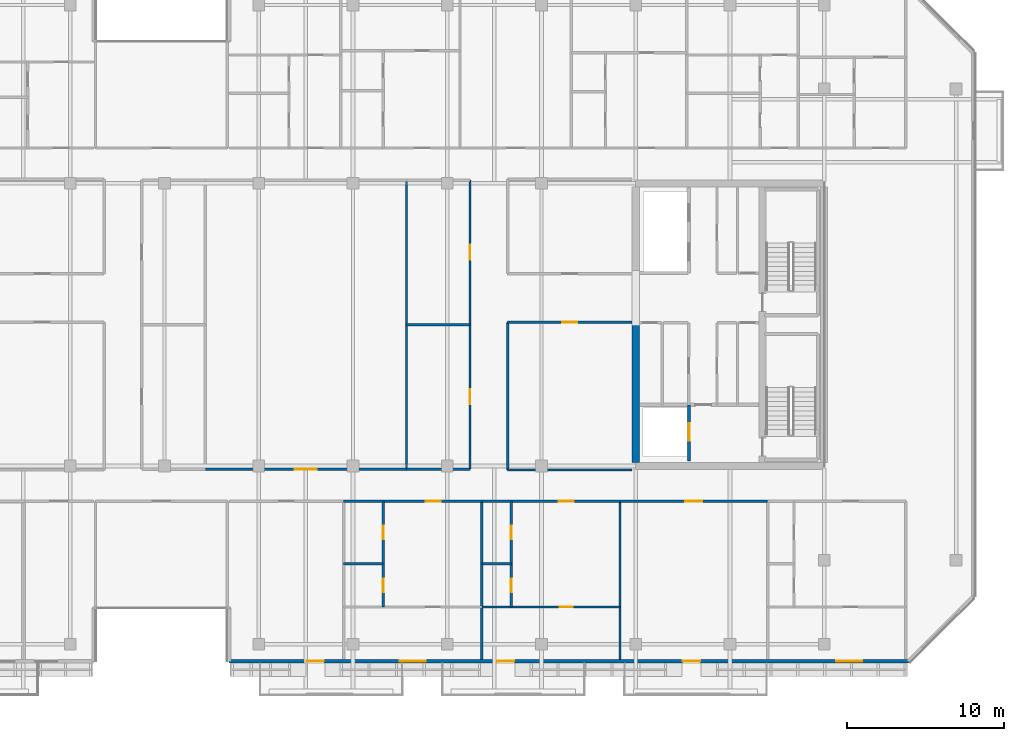
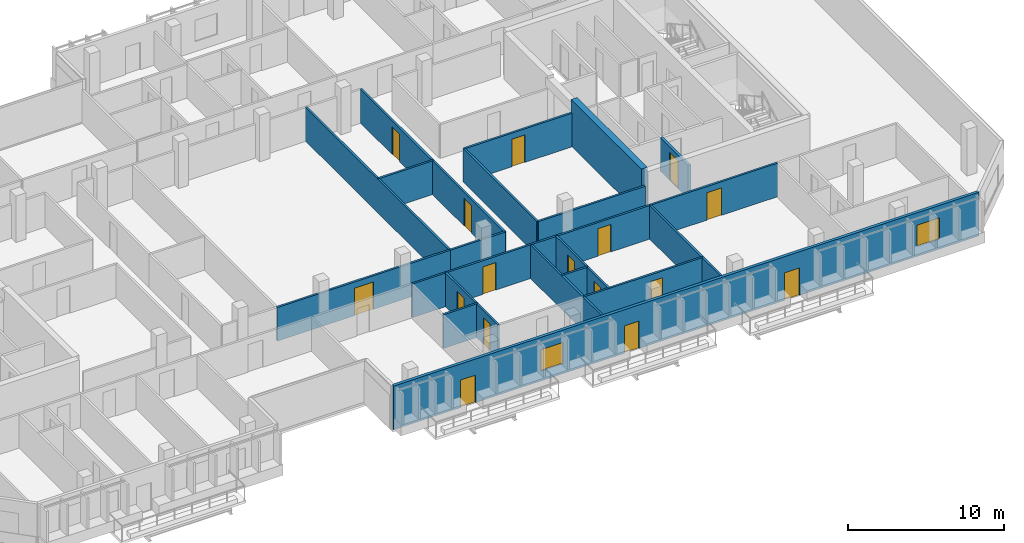
# One storey, part 12 of 23: 22 walls, 16 doors, 2 windows, 18 openings.
"""IFC4 building model written with IfcOpenShell, lengths in metres."""

from ifc_helpers import new_model, si_unit, direction, frame, frame_2d, origin, place, context, subcontext, project, spatial, rectangle, extrude, material, layer, layer_set, type_object, element, fill, save


model = new_model("IFC4")

# Units and contexts
model_context = context("Model", 3, precision=1e-05, world=origin(), true_north=direction((0.0, 1.0)))
body_context = subcontext(model_context, "Body", "Model", "MODEL_VIEW")
ifc_project = project(units=[si_unit("LENGTHUNIT", "METRE"), si_unit("AREAUNIT", "SQUARE_METRE"), si_unit("VOLUMEUNIT", "CUBIC_METRE"), si_unit("PLANEANGLEUNIT", "RADIAN"), si_unit("MASSUNIT", "GRAM", prefix="KILO")], contexts=[model_context])

# Site, building, storey
site_placement = place(None, origin())
site = spatial("IfcSite", under=ifc_project, at=site_placement, CompositionType="ELEMENT")
building_placement = place(site_placement, origin())
building = spatial("IfcBuilding", under=site, at=building_placement, Name="Tanjung Sevakor Pilgrim Tower", CompositionType="ELEMENT")
storey_placement = place(building_placement, frame((0.0, 0.0, 215.489990234375)))
storey = spatial("IfcBuildingStorey", under=building, at=storey_placement, Name="L60", CompositionType="ELEMENT", Elevation=215.489990234375)

# Walls
ifc_material_1 = material(Name="Concrete C60/75", Category="concrete")
ifc_layer_1 = layer(ifc_material_1, 0.449951171875)
ifc_layer_set_1 = layer_set([ifc_layer_1], Name="WALL-CW-450")
wall_type_1 = type_object("IfcWallType", Name="WALL-CW-450", PredefinedType="SHEAR", material=ifc_layer_set_1)
wall_1_placement = place(storey_placement, frame((78.0, 24.824951171875, 0.0), z_axis=(0.0, 0.0, 1.0), x_axis=(0.0, 1.0, 0.0)))
element("IfcWall", 1, at=wall_1_placement, inside=storey, type_object=wall_type_1, Name="L60 E Core Inner Shear Wall South", PredefinedType="SHEAR", context=body_context, shape_type="SweptSolid", body=[
    extrude(rectangle(XDim=8.97509765625, YDim=0.449951171875, at=frame_2d((4.487548828125, 0.0))), origin(), (0.0, 0.0, 1.0), 3.630126953125),
])
ifc_material_2 = material(Name="Concrete C40/50", Category="concrete")
ifc_layer_2 = layer(ifc_material_2, 0.14990234375)
ifc_layer_set_2 = layer_set([ifc_layer_2], Name="WT-COMP-150")
wall_type_2 = type_object("IfcWallType", Name="WT-COMP-150", PredefinedType="SOLIDWALL", material=ifc_layer_set_2)
wall_2_placement = place(storey_placement, frame((69.85009765625, 24.35009765625, 0.0), z_axis=(0.0, 0.0, 1.0), x_axis=(1.0, 0.0, 0.0)))
element("IfcWall", 2, at=wall_2_placement, inside=storey, type_object=wall_type_2, Name="L60 Partition IW-L60-039", PredefinedType="SOLIDWALL", context=body_context, shape_type="SweptSolid", body=[
    extrude(rectangle(XDim=7.90478515625, YDim=0.14990234375, at=frame_2d((3.952392578125, 0.0))), origin(), (0.0, 0.0, 1.0), 2.6298828125),
])

# Wall, opening, door
wall_3_placement = place(storey_placement, frame((69.85009765625, 33.75, 0.0), z_axis=(0.0, 0.0, 1.0), x_axis=(1.0, 0.0, 0.0)))
wall_3 = element("IfcWall", 3, at=wall_3_placement, inside=storey, type_object=wall_type_2, Name="L60 Partition IW-L60-040", PredefinedType="SOLIDWALL", context=body_context, shape_type="SweptSolid", body=[
    extrude(rectangle(XDim=7.90478515625, YDim=0.14990234375, at=frame_2d((3.952392578125, 0.0))), origin(), (0.0, 0.0, 1.0), 2.6298828125),
])
opening_1_placement = place(wall_3_placement, frame((3.4775390625, 0.0, 0.0)))
opening_1 = element("IfcOpeningElement", 4, at=opening_1_placement, cuts=wall_3, Name="Opening ID-RM1", PredefinedType="OPENING", context=body_context, shape_type="SweptSolid", body=[
    extrude(rectangle(XDim=0.949951171875, YDim=2.14990234375, at=frame_2d((0.47509765625, 1.074951171875))), frame((0.0, 0.0849609375, 0.0), z_axis=(0.0, -1.0, 0.0), x_axis=(1.0, 0.0, 0.0)), (0.0, 0.0, 1.0), 0.169921875),
])
ifc_material_3 = material(Name="Hardwood Timber", Category="wood")
door_type_1 = type_object("IfcDoorType", Name="DT-INT-950", OperationType="NOTDEFINED", PredefinedType="DOOR", material=ifc_material_3)
door_1_placement = place(opening_1_placement, origin())
door_1 = element("IfcDoor", 5, at=door_1_placement, inside=storey, type_object=door_type_1, Name="L60 East Inboard South Door", OperationType="SINGLE_SWING_RIGHT", OverallHeight=2.14990234375, OverallWidth=0.949951171875, PredefinedType="DOOR", context=body_context, shape_type="SweptSolid", body=[
    extrude(rectangle(XDim=0.949951171875, YDim=2.14990234375, at=frame_2d((0.47509765625, 1.074951171875))), frame((0.0, 0.02490234375, 0.0), z_axis=(0.0, -1.0, 0.0), x_axis=(1.0, 0.0, 0.0)), (0.0, 0.0, 1.0), 0.050048828125),
])
fill(opening_1, door_1)

# Wall
wall_4_placement = place(storey_placement, frame((69.85009765625, 24.35009765625, 0.0), z_axis=(0.0, 0.0, 1.0), x_axis=(0.0, 1.0, 0.0)))
element("IfcWall", 6, at=wall_4_placement, inside=storey, type_object=wall_type_2, Name="L60 Partition IW-L60-041", PredefinedType="SOLIDWALL", context=body_context, shape_type="SweptSolid", body=[
    extrude(rectangle(XDim=9.39990234375, YDim=0.14990234375, at=frame_2d((4.699951171875, 0.0))), origin(), (0.0, 0.0, 1.0), 2.6298828125),
])

# Wall, opening, door
wall_5_placement = place(storey_placement, frame((50.60009765625, 24.39990234375, 0.0), z_axis=(0.0, 0.0, 1.0), x_axis=(1.0, 0.0, 0.0)))
wall_5 = element("IfcWall", 7, at=wall_5_placement, inside=storey, type_object=wall_type_2, Name="L60 Partition IW-L60-050", PredefinedType="SOLIDWALL", context=body_context, shape_type="SweptSolid", body=[
    extrude(rectangle(XDim=12.7998046875, YDim=0.14990234375, at=frame_2d((6.39990234375, 0.0))), origin(), (0.0, 0.0, 1.0), 2.6298828125),
])
opening_2_placement = place(wall_5_placement, frame((5.699951171875, 0.0, 0.0)))
opening_2 = element("IfcOpeningElement", 8, at=opening_2_placement, cuts=wall_5, Name="Opening ID-HD1", PredefinedType="OPENING", context=body_context, shape_type="SweptSolid", body=[
    extrude(rectangle(XDim=1.39990234375, YDim=2.14990234375, at=frame_2d((0.699951171875, 1.074951171875))), frame((0.0, 0.0849609375, 0.0), z_axis=(0.0, -1.0, 0.0), x_axis=(1.0, 0.0, 0.0)), (0.0, 0.0, 1.0), 0.169921875),
])
ifc_material_4 = material(Name="Hardwood Timber", Category="wood")
door_type_2 = type_object("IfcDoorType", Name="DT-INT-1400", OperationType="DOUBLE_DOOR_SINGLE_SWING", PredefinedType="DOOR", material=ifc_material_4)
door_2_placement = place(opening_2_placement, origin())
door_2 = element("IfcDoor", 9, at=door_2_placement, inside=storey, type_object=door_type_2, Name="L60 Sky-Prayer Sanctuary Door", OperationType="SINGLE_SWING_RIGHT", OverallHeight=2.14990234375, OverallWidth=1.39990234375, PredefinedType="DOOR", context=body_context, shape_type="SweptSolid", body=[
    extrude(rectangle(XDim=1.39990234375, YDim=2.14990234375, at=frame_2d((0.699951171875, 1.074951171875))), frame((0.0, 0.02490234375, 0.0), z_axis=(0.0, -1.0, 0.0), x_axis=(1.0, 0.0, 0.0)), (0.0, 0.0, 1.0), 0.050048828125),
])
fill(opening_2, door_2)

# Walls
wall_6_placement = place(storey_placement, frame((63.39990234375, 24.39990234375, 0.0), z_axis=(0.0, 0.0, 1.0), x_axis=(0.0, 1.0, 0.0)))
element("IfcWall", 10, at=wall_6_placement, inside=storey, type_object=wall_type_2, Name="L60 Partition IW-L60-053", PredefinedType="SOLIDWALL", context=body_context, shape_type="SweptSolid", body=[
    extrude(rectangle(XDim=18.400146484375, YDim=0.14990234375, at=frame_2d((9.2001953125, 0.0))), origin(), (0.0, 0.0, 1.0), 2.6298828125),
])
for number, where, z_axis, x_axis, name in (
    (11, (63.39990234375, 24.39990234375, 0.0), (0.0, 0.0, 1.0), (1.0, 0.0, 0.0), "L60 Partition IW-L60-054"),
    (12, (63.39990234375, 33.60009765625, 0.0), (0.0, 0.0, 1.0), (1.0, 0.0, 0.0), "L60 Partition IW-L60-055"),
):
    element("IfcWall", number, at=place(storey_placement, frame(where, z_axis=z_axis, x_axis=x_axis)), inside=storey, type_object=wall_type_2, Name=name, PredefinedType="SOLIDWALL", context=body_context, shape_type="SweptSolid", body=[
        extrude(rectangle(XDim=4.050048828125, YDim=0.14990234375, at=frame_2d((2.02490234375, 0.0))), origin(), (0.0, 0.0, 1.0), 2.6298828125),
    ])

# Wall, opening, door
wall_7_placement = place(storey_placement, frame((67.449951171875, 24.39990234375, 0.0), z_axis=(0.0, 0.0, 1.0), x_axis=(0.0, 1.0, 0.0)))
wall_7 = element("IfcWall", 13, at=wall_7_placement, inside=storey, type_object=wall_type_2, Name="L60 Partition IW-L60-056", PredefinedType="SOLIDWALL", context=body_context, shape_type="SweptSolid", body=[
    extrude(rectangle(XDim=9.2001953125, YDim=0.14990234375, at=frame_2d((4.60009765625, 0.0))), origin(), (0.0, 0.0, 1.0), 2.6298828125),
])
opening_3_placement = place(wall_7_placement, frame((4.125, 0.0, 0.0)))
opening_3 = element("IfcOpeningElement", 14, at=opening_3_placement, cuts=wall_7, Name="Opening ID-RM1", PredefinedType="OPENING", context=body_context, shape_type="SweptSolid", body=[
    extrude(rectangle(XDim=0.949951171875, YDim=2.14990234375, at=frame_2d((0.47509765625, 1.074951171875))), frame((0.0, 0.0849609375, 0.0), z_axis=(0.0, -1.0, 0.0), x_axis=(1.0, 0.0, 0.0)), (0.0, 0.0, 1.0), 0.169921875),
])
door_3_placement = place(opening_3_placement, origin())
door_3 = element("IfcDoor", 15, at=door_3_placement, inside=storey, type_object=door_type_1, Name="L60 Female Ablution Door", OperationType="SINGLE_SWING_LEFT", OverallHeight=2.14990234375, OverallWidth=0.949951171875, PredefinedType="DOOR", context=body_context, shape_type="SweptSolid", body=[
    extrude(rectangle(XDim=0.949951171875, YDim=2.14990234375, at=frame_2d((0.47509765625, 1.074951171875))), frame((0.0, 0.02490234375, 0.0), z_axis=(0.0, -1.0, 0.0), x_axis=(1.0, 0.0, 0.0)), (0.0, 0.0, 1.0), 0.050048828125),
])
fill(opening_3, door_3)

wall_8_placement = place(storey_placement, frame((67.449951171875, 33.60009765625, 0.0), z_axis=(0.0, 0.0, 1.0), x_axis=(0.0, 1.0, 0.0)))
wall_8 = element("IfcWall", 16, at=wall_8_placement, inside=storey, type_object=wall_type_2, Name="L60 Partition IW-L60-058", PredefinedType="SOLIDWALL", context=body_context, shape_type="SweptSolid", body=[
    extrude(rectangle(XDim=9.199951171875, YDim=0.14990234375, at=frame_2d((4.60009765625, 0.0))), origin(), (0.0, 0.0, 1.0), 2.6298828125),
])
opening_4_placement = place(wall_8_placement, frame((4.125, 0.0, 0.0)))
opening_4 = element("IfcOpeningElement", 17, at=opening_4_placement, cuts=wall_8, Name="Opening ID-RM1", PredefinedType="OPENING", context=body_context, shape_type="SweptSolid", body=[
    extrude(rectangle(XDim=0.949951171875, YDim=2.14990234375, at=frame_2d((0.47509765625, 1.074951171875))), frame((0.0, 0.0849609375, 0.0), z_axis=(0.0, -1.0, 0.0), x_axis=(1.0, 0.0, 0.0)), (0.0, 0.0, 1.0), 0.169921875),
])
door_4_placement = place(opening_4_placement, origin())
door_4 = element("IfcDoor", 18, at=door_4_placement, inside=storey, type_object=door_type_1, Name="L60 Female Washroom Door", OperationType="SINGLE_SWING_RIGHT", OverallHeight=2.14990234375, OverallWidth=0.949951171875, PredefinedType="DOOR", context=body_context, shape_type="SweptSolid", body=[
    extrude(rectangle(XDim=0.949951171875, YDim=2.14990234375, at=frame_2d((0.47509765625, 1.074951171875))), frame((0.0, 0.02490234375, 0.0), z_axis=(0.0, -1.0, 0.0), x_axis=(1.0, 0.0, 0.0)), (0.0, 0.0, 1.0), 0.050048828125),
])
fill(opening_4, door_4)

# Wall
wall_9_placement = place(storey_placement, frame((68.19921875, 12.27001953125, 0.0), z_axis=(0.0, 0.0, 1.0), x_axis=(0.0, 1.0, 0.0)))
element("IfcWall", 19, at=wall_9_placement, inside=storey, type_object=wall_type_2, Name="L60 Partition IW-L60-078", PredefinedType="SOLIDWALL", context=body_context, shape_type="SweptSolid", body=[
    extrude(rectangle(XDim=10.080078125, YDim=0.14990234375, at=frame_2d((5.0400390625, 0.0))), origin(), (0.0, 0.0, 1.0), 2.6298828125),
])

# Wall, opening, door
wall_10_placement = place(storey_placement, frame((59.401123046875, 22.35009765625, 0.0), z_axis=(0.0, 0.0, 1.0), x_axis=(1.0, 0.0, 0.0)))
wall_10 = element("IfcWall", 20, at=wall_10_placement, inside=storey, type_object=wall_type_2, Name="L60 Partition IW-L60-082", PredefinedType="SOLIDWALL", context=body_context, shape_type="SweptSolid", body=[
    extrude(rectangle(XDim=8.798095703125, YDim=0.14990234375, at=frame_2d((4.39892578125, 0.0))), origin(), (0.0, 0.0, 1.0), 2.6298828125),
])
opening_5_placement = place(wall_10_placement, frame((5.223388671875, 0.0, 0.0)))
opening_5 = element("IfcOpeningElement", 21, at=opening_5_placement, cuts=wall_10, Name="Opening ID-FD2", PredefinedType="OPENING", context=body_context, shape_type="SweptSolid", body=[
    extrude(rectangle(XDim=0.949951171875, YDim=2.14990234375, at=frame_2d((0.47509765625, 1.074951171875))), frame((0.0, 0.0849609375, 0.0), z_axis=(0.0, -1.0, 0.0), x_axis=(1.0, 0.0, 0.0)), (0.0, 0.0, 1.0), 0.169921875),
])
ifc_material_5 = material(Name="Fire-Rated Timber", Category="wood")
door_type_3 = type_object("IfcDoorType", Name="DT-FIRE-950", OperationType="NOTDEFINED", PredefinedType="DOOR", material=ifc_material_5)
door_5_placement = place(opening_5_placement, origin())
door_5 = element("IfcDoor", 22, at=door_5_placement, inside=storey, type_object=door_type_3, Name="Residence Entrance", OperationType="SINGLE_SWING_LEFT", OverallHeight=2.14990234375, OverallWidth=0.949951171875, PredefinedType="DOOR", context=body_context, shape_type="SweptSolid", body=[
    extrude(rectangle(XDim=0.949951171875, YDim=2.14990234375, at=frame_2d((0.47509765625, 1.074951171875))), frame((0.0, 0.02490234375, 0.0), z_axis=(0.0, -1.0, 0.0), x_axis=(1.0, 0.0, 0.0)), (0.0, 0.0, 1.0), 0.050048828125),
])
fill(opening_5, door_5)

# Wall
wall_11_placement = place(storey_placement, frame((76.9970703125, 12.27001953125, 0.0), z_axis=(0.0, 0.0, 1.0), x_axis=(0.0, 1.0, 0.0)))
element("IfcWall", 23, at=wall_11_placement, inside=storey, type_object=wall_type_2, Name="L60 Partition IW-L60-083", PredefinedType="SOLIDWALL", context=body_context, shape_type="SweptSolid", body=[
    extrude(rectangle(XDim=10.080078125, YDim=0.14990234375, at=frame_2d((5.0400390625, 0.0))), origin(), (0.0, 0.0, 1.0), 2.6298828125),
])

# Wall, opening, door
wall_12_placement = place(storey_placement, frame((68.19921875, 22.35009765625, 0.0), z_axis=(0.0, 0.0, 1.0), x_axis=(1.0, 0.0, 0.0)))
wall_12 = element("IfcWall", 24, at=wall_12_placement, inside=storey, type_object=wall_type_2, Name="L60 Partition IW-L60-087", PredefinedType="SOLIDWALL", context=body_context, shape_type="SweptSolid", body=[
    extrude(rectangle(XDim=8.7978515625, YDim=0.14990234375, at=frame_2d((4.39892578125, 0.0))), origin(), (0.0, 0.0, 1.0), 2.6298828125),
])
opening_6_placement = place(wall_12_placement, frame((4.904296875, 0.0, 0.0)))
opening_6 = element("IfcOpeningElement", 25, at=opening_6_placement, cuts=wall_12, Name="Opening ID-FD2", PredefinedType="OPENING", context=body_context, shape_type="SweptSolid", body=[
    extrude(rectangle(XDim=0.949951171875, YDim=2.14990234375, at=frame_2d((0.47509765625, 1.074951171875))), frame((0.0, 0.0849609375, 0.0), z_axis=(0.0, -1.0, 0.0), x_axis=(1.0, 0.0, 0.0)), (0.0, 0.0, 1.0), 0.169921875),
])
door_6_placement = place(opening_6_placement, origin())
door_6 = element("IfcDoor", 26, at=door_6_placement, inside=storey, type_object=door_type_3, Name="Residence Entrance", OperationType="SINGLE_SWING_LEFT", OverallHeight=2.14990234375, OverallWidth=0.949951171875, PredefinedType="DOOR", context=body_context, shape_type="SweptSolid", body=[
    extrude(rectangle(XDim=0.949951171875, YDim=2.14990234375, at=frame_2d((0.47509765625, 1.074951171875))), frame((0.0, 0.02490234375, 0.0), z_axis=(0.0, -1.0, 0.0), x_axis=(1.0, 0.0, 0.0)), (0.0, 0.0, 1.0), 0.050048828125),
])
fill(opening_6, door_6)

wall_13_placement = place(storey_placement, frame((76.9970703125, 22.35009765625, 0.0), z_axis=(0.0, 0.0, 1.0), x_axis=(1.0, 0.0, 0.0)))
wall_13 = element("IfcWall", 27, at=wall_13_placement, inside=storey, type_object=wall_type_2, Name="L60 Partition IW-L60-089", PredefinedType="SOLIDWALL", context=body_context, shape_type="SweptSolid", body=[
    extrude(rectangle(XDim=9.40478515625, YDim=0.14990234375, at=frame_2d((4.702392578125, 0.0))), origin(), (0.0, 0.0, 1.0), 2.6298828125),
])
opening_7_placement = place(wall_13_placement, frame((4.15234375, 0.0, 0.0)))
opening_7 = element("IfcOpeningElement", 28, at=opening_7_placement, cuts=wall_13, Name="Opening ID-FD0", PredefinedType="OPENING", context=body_context, shape_type="SweptSolid", body=[
    extrude(rectangle(XDim=1.10009765625, YDim=2.14990234375, at=frame_2d((0.550048828125, 1.074951171875))), frame((0.0, 0.0849609375, 0.0), z_axis=(0.0, -1.0, 0.0), x_axis=(1.0, 0.0, 0.0)), (0.0, 0.0, 1.0), 0.169921875),
])
ifc_material_6 = material(Name="Fire-Rated Steel S355J2", Category="steel")
door_type_4 = type_object("IfcDoorType", Name="DT-FIRE-1100", OperationType="NOTDEFINED", PredefinedType="DOOR", material=ifc_material_6)
door_7_placement = place(opening_7_placement, origin())
door_7 = element("IfcDoor", 29, at=door_7_placement, inside=storey, type_object=door_type_4, Name="Council Room Door", OperationType="SINGLE_SWING_RIGHT", OverallHeight=2.14990234375, OverallWidth=1.10009765625, PredefinedType="DOOR", context=body_context, shape_type="SweptSolid", body=[
    extrude(rectangle(XDim=1.10009765625, YDim=2.14990234375, at=frame_2d((0.550048828125, 1.074951171875))), frame((0.0, 0.02490234375, 0.0), z_axis=(0.0, -1.0, 0.0), x_axis=(1.0, 0.0, 0.0)), (0.0, 0.0, 1.0), 0.050048828125),
])
fill(opening_7, door_7)

# Wall, openings, doors, windows
ifc_material_7 = material(Name="Precast concrete C45/55", Category="concrete")
ifc_layer_3 = layer(ifc_material_7, 0.219970703125)
ifc_layer_set_3 = layer_set([ifc_layer_3], Name="WT-EW-STN4")
wall_type_3 = type_object("IfcWallType", Name="WT-EW-STN4", PredefinedType="SOLIDWALL", material=ifc_layer_set_3)
wall_14_placement = place(storey_placement, frame((52.110107421875, 12.159912109375, 0.0), z_axis=(0.0, 0.0, 1.0), x_axis=(1.0, 0.0, 0.0)))
wall_14 = element("IfcWall", 30, at=wall_14_placement, inside=storey, type_object=wall_type_3, Name="L60 MAIN Exterior Wall 5", PredefinedType="SOLIDWALL", context=body_context, shape_type="SweptSolid", body=[
    extrude(rectangle(XDim=43.244384765625, YDim=0.219970703125, at=frame_2d((21.6220703125, 0.0))), origin(), (0.0, 0.0, 1.0), 3.409912109375),
])
opening_8_placement = place(wall_14_placement, frame((4.93994140625, 0.0, 0.0)))
opening_8 = element("IfcOpeningElement", 31, at=opening_8_placement, cuts=wall_14, Name="Opening ED-BAL-1100", PredefinedType="OPENING", context=body_context, shape_type="SweptSolid", body=[
    extrude(rectangle(XDim=1.10009765625, YDim=2.14990234375, at=frame_2d((0.550048828125, 1.074951171875))), frame((0.0, 0.119873046875, 0.0), z_axis=(0.0, -1.0, 0.0), x_axis=(1.0, 0.0, 0.0)), (0.0, 0.0, 1.0), 0.239990234375),
])
opening_9_placement = place(wall_14_placement, frame((17.0400390625, 0.0, 0.0)))
opening_9 = element("IfcOpeningElement", 32, at=opening_9_placement, cuts=wall_14, Name="Opening ED-BAL-1100", PredefinedType="OPENING", context=body_context, shape_type="SweptSolid", body=[
    extrude(rectangle(XDim=1.10009765625, YDim=2.14990234375, at=frame_2d((0.550048828125, 1.074951171875))), frame((0.0, 0.119873046875, 0.0), z_axis=(0.0, -1.0, 0.0), x_axis=(1.0, 0.0, 0.0)), (0.0, 0.0, 1.0), 0.239990234375),
])
opening_10_placement = place(wall_14_placement, frame((28.889892578125, 0.0, 0.0)))
opening_10 = element("IfcOpeningElement", 33, at=opening_10_placement, cuts=wall_14, Name="Opening ED-BAL-1100", PredefinedType="OPENING", context=body_context, shape_type="SweptSolid", body=[
    extrude(rectangle(XDim=1.10009765625, YDim=2.14990234375, at=frame_2d((0.550048828125, 1.074951171875))), frame((0.0, 0.119873046875, 0.0), z_axis=(0.0, -1.0, 0.0), x_axis=(1.0, 0.0, 0.0)), (0.0, 0.0, 1.0), 0.239990234375),
])
opening_11_placement = place(wall_14_placement, frame((10.864990234375, 0.0, 0.780029296875)))
opening_11 = element("IfcOpeningElement", 34, at=opening_11_placement, cuts=wall_14, Name="Opening WN-Z4-1660", PredefinedType="OPENING", context=body_context, shape_type="SweptSolid", body=[
    extrude(rectangle(XDim=1.64990234375, YDim=1.659912109375, at=frame_2d((0.824951171875, 0.830078125))), frame((0.0, 0.119873046875, 0.0), z_axis=(0.0, -1.0, 0.0), x_axis=(1.0, 0.0, 0.0)), (0.0, 0.0, 1.0), 0.239990234375),
])
opening_12_placement = place(wall_14_placement, frame((38.666015625, 0.0, 0.780029296875)))
opening_12 = element("IfcOpeningElement", 35, at=opening_12_placement, cuts=wall_14, Name="Opening WN-Z4-1660", PredefinedType="OPENING", context=body_context, shape_type="SweptSolid", body=[
    extrude(rectangle(XDim=1.64990234375, YDim=1.659912109375, at=frame_2d((0.824951171875, 0.830078125))), frame((0.0, 0.119873046875, 0.0), z_axis=(0.0, -1.0, 0.0), x_axis=(1.0, 0.0, 0.0)), (0.0, 0.0, 1.0), 0.239990234375),
])
ifc_material_8 = material(Name="Anodised Aluminium and Laminated Glass", Category="aluminium")
door_type_5 = type_object("IfcDoorType", Name="DTYP-ED-BAL-1100", OperationType="NOTDEFINED", PredefinedType="DOOR", material=ifc_material_8)
door_8_placement = place(opening_8_placement, frame((1.10009765625, 0.0, 0.0), z_axis=(0.0, 0.0, 1.0), x_axis=(-1.0, 0.0, 0.0)))
door_8 = element("IfcDoor", 36, at=door_8_placement, inside=storey, type_object=door_type_5, Name="L60 Balcony Door MAIN-S2", OperationType="SINGLE_SWING_RIGHT", OverallHeight=2.14990234375, OverallWidth=1.10009765625, PredefinedType="DOOR", context=body_context, shape_type="SweptSolid", body=[
    extrude(rectangle(XDim=1.10009765625, YDim=2.14990234375, at=frame_2d((0.550048828125, 1.074951171875))), frame((0.0, 0.02490234375, 0.0), z_axis=(0.0, -1.0, 0.0), x_axis=(1.0, 0.0, 0.0)), (0.0, 0.0, 1.0), 0.050048828125),
])
fill(opening_8, door_8)
door_9_placement = place(opening_9_placement, frame((1.10009765625, 0.0, 0.0), z_axis=(0.0, 0.0, 1.0), x_axis=(-1.0, 0.0, 0.0)))
door_9 = element("IfcDoor", 37, at=door_9_placement, inside=storey, type_object=door_type_5, Name="L60 Balcony Door MAIN-S3", OperationType="SINGLE_SWING_LEFT", OverallHeight=2.14990234375, OverallWidth=1.10009765625, PredefinedType="DOOR", context=body_context, shape_type="SweptSolid", body=[
    extrude(rectangle(XDim=1.10009765625, YDim=2.14990234375, at=frame_2d((0.550048828125, 1.074951171875))), frame((0.0, 0.02490234375, 0.0), z_axis=(0.0, -1.0, 0.0), x_axis=(1.0, 0.0, 0.0)), (0.0, 0.0, 1.0), 0.050048828125),
])
fill(opening_9, door_9)
door_10_placement = place(opening_10_placement, frame((1.10009765625, 0.0, 0.0), z_axis=(0.0, 0.0, 1.0), x_axis=(-1.0, 0.0, 0.0)))
door_10 = element("IfcDoor", 38, at=door_10_placement, inside=storey, type_object=door_type_5, Name="L60 Balcony Door MAIN-S4", OperationType="SINGLE_SWING_RIGHT", OverallHeight=2.14990234375, OverallWidth=1.10009765625, PredefinedType="DOOR", context=body_context, shape_type="SweptSolid", body=[
    extrude(rectangle(XDim=1.10009765625, YDim=2.14990234375, at=frame_2d((0.550048828125, 1.074951171875))), frame((0.0, 0.02490234375, 0.0), z_axis=(0.0, -1.0, 0.0), x_axis=(1.0, 0.0, 0.0)), (0.0, 0.0, 1.0), 0.050048828125),
])
fill(opening_10, door_10)
ifc_material_9 = material(Name="Thermally Broken Aluminium and Low-E Glass", Category="aluminium")
window_type = type_object("IfcWindowType", Name="WTYP-WN-Z4-1660", PartitioningType="DOUBLE_PANEL_VERTICAL", PredefinedType="WINDOW", material=ifc_material_9)
window_1_placement = place(opening_11_placement, origin())
window_1 = element("IfcWindow", 39, at=window_1_placement, inside=storey, type_object=window_type, Name="L60 Facade Window 01", OverallHeight=1.659912109375, OverallWidth=1.64990234375, PartitioningType="SINGLE_PANEL", PredefinedType="WINDOW", context=body_context, shape_type="SweptSolid", body=[
    extrude(rectangle(XDim=1.64990234375, YDim=1.659912109375, at=frame_2d((0.824951171875, 0.830078125))), frame((0.0, 0.030029296875, 0.0), z_axis=(0.0, -1.0, 0.0), x_axis=(1.0, 0.0, 0.0)), (0.0, 0.0, 1.0), 0.06005859375),
])
fill(opening_11, window_1)
window_2_placement = place(opening_12_placement, origin())
window_2 = element("IfcWindow", 40, at=window_2_placement, inside=storey, type_object=window_type, Name="L60 Facade Window 02", OverallHeight=1.659912109375, OverallWidth=1.64990234375, PartitioningType="SINGLE_PANEL", PredefinedType="WINDOW", context=body_context, shape_type="SweptSolid", body=[
    extrude(rectangle(XDim=1.64990234375, YDim=1.659912109375, at=frame_2d((0.824951171875, 0.830078125))), frame((0.0, 0.030029296875, 0.0), z_axis=(0.0, -1.0, 0.0), x_axis=(1.0, 0.0, 0.0)), (0.0, 0.0, 1.0), 0.06005859375),
])
fill(opening_12, window_2)

# Wall, opening, door
ifc_material_10 = material(Name="Concrete C40/50", Category="concrete")
ifc_layer_4 = layer(ifc_material_10, 0.199951171875)
ifc_layer_set_4 = layer_set([ifc_layer_4], Name="WT-FPRT-200")
wall_type_4 = type_object("IfcWallType", Name="WT-FPRT-200", PredefinedType="SOLIDWALL", material=ifc_layer_set_4)
wall_15_placement = place(storey_placement, frame((81.39990234375, 24.919921875, 0.0), z_axis=(0.0, 0.0, 1.0), x_axis=(0.0, 1.0, 0.0)))
wall_15 = element("IfcWall", 41, at=wall_15_placement, inside=storey, type_object=wall_type_4, Name="L60 Partition IW-L60-017", PredefinedType="SOLIDWALL", context=body_context, shape_type="SweptSolid", body=[
    extrude(rectangle(XDim=3.580078125, YDim=0.199951171875, at=frame_2d((1.7900390625, 0.0))), origin(), (0.0, 0.0, 1.0), 2.6298828125),
])
opening_13_placement = place(wall_15_placement, frame((1.300048828125, 0.0, 0.0)))
opening_13 = element("IfcOpeningElement", 42, at=opening_13_placement, cuts=wall_15, Name="Opening LD-1100", PredefinedType="OPENING", context=body_context, shape_type="SweptSolid", body=[
    extrude(rectangle(XDim=1.10009765625, YDim=2.199951171875, at=frame_2d((0.550048828125, 1.10009765625))), frame((0.0, 0.10986328125, 0.0), z_axis=(0.0, -1.0, 0.0), x_axis=(1.0, 0.0, 0.0)), (0.0, 0.0, 1.0), 0.219970703125),
])
ifc_material_11 = material(Name="Brushed Stainless Steel S355J2", Category="steel")
door_type_6 = type_object("IfcDoorType", Name="DT-LIFT-1100", OperationType="SLIDING_TO_LEFT", PredefinedType="DOOR", material=ifc_material_11)
door_11_placement = place(opening_13_placement, origin())
door_11 = element("IfcDoor", 43, at=door_11_placement, inside=storey, type_object=door_type_6, Name="LD-FL-E", OperationType="SLIDING_TO_LEFT", OverallHeight=2.199951171875, OverallWidth=1.10009765625, PredefinedType="DOOR", context=body_context, shape_type="SweptSolid", body=[
    extrude(rectangle(XDim=1.10009765625, YDim=2.199951171875, at=frame_2d((0.550048828125, 1.10009765625))), frame((0.0, 0.02490234375, 0.0), z_axis=(0.0, -1.0, 0.0), x_axis=(1.0, 0.0, 0.0)), (0.0, 0.0, 1.0), 0.050048828125),
])
fill(opening_13, door_11)

# Wall
ifc_material_12 = material(Name="Gypsum Board Partition", Category="gypsum board")
ifc_layer_5 = layer(ifc_material_12, 0.14990234375)
ifc_layer_set_5 = layer_set([ifc_layer_5], Name="WT-PART-150")
wall_type_5 = type_object("IfcWallType", Name="WT-PART-150", PredefinedType="PARTITIONING", material=ifc_layer_set_5)
wall_16_placement = place(storey_placement, frame((59.401123046875, 18.381103515625, 0.0), z_axis=(0.0, 0.0, 1.0), x_axis=(1.0, 0.0, 0.0)))
element("IfcWall", 44, at=wall_16_placement, inside=storey, type_object=wall_type_5, Name="L60 Partition IW-L60-079", PredefinedType="PARTITIONING", context=body_context, shape_type="SweptSolid", body=[
    extrude(rectangle(XDim=2.518798828125, YDim=0.14990234375, at=frame_2d((1.25927734375, 0.0))), origin(), (0.0, 0.0, 1.0), 2.6298828125),
])

# Wall, openings, doors
wall_17_placement = place(storey_placement, frame((61.919921875, 15.623046875, 0.0), z_axis=(0.0, 0.0, 1.0), x_axis=(0.0, 1.0, 0.0)))
wall_17 = element("IfcWall", 45, at=wall_17_placement, inside=storey, type_object=wall_type_5, Name="L60 Partition IW-L60-080", PredefinedType="PARTITIONING", context=body_context, shape_type="SweptSolid", body=[
    extrude(rectangle(XDim=6.72705078125, YDim=0.14990234375, at=frame_2d((3.363525390625, 0.0))), origin(), (0.0, 0.0, 1.0), 2.6298828125),
])
opening_14_placement = place(wall_17_placement, frame((0.9541015625, 0.0, 0.0)))
opening_14 = element("IfcOpeningElement", 46, at=opening_14_placement, cuts=wall_17, Name="Opening ID-WC1", PredefinedType="OPENING", context=body_context, shape_type="SweptSolid", body=[
    extrude(rectangle(XDim=0.85009765625, YDim=2.10009765625, at=frame_2d((0.425048828125, 1.050048828125))), frame((0.0, 0.0849609375, 0.0), z_axis=(0.0, -1.0, 0.0), x_axis=(1.0, 0.0, 0.0)), (0.0, 0.0, 1.0), 0.169921875),
])
opening_15_placement = place(wall_17_placement, frame((4.317626953125, 0.0, 0.0)))
opening_15 = element("IfcOpeningElement", 47, at=opening_15_placement, cuts=wall_17, Name="Opening ID-WC1", PredefinedType="OPENING", context=body_context, shape_type="SweptSolid", body=[
    extrude(rectangle(XDim=0.85009765625, YDim=2.10009765625, at=frame_2d((0.425048828125, 1.050048828125))), frame((0.0, 0.0849609375, 0.0), z_axis=(0.0, -1.0, 0.0), x_axis=(1.0, 0.0, 0.0)), (0.0, 0.0, 1.0), 0.169921875),
])
ifc_material_13 = material(Name="Moisture-Resistant Timber", Category="wood")
door_type_7 = type_object("IfcDoorType", Name="DT-INT-850", OperationType="NOTDEFINED", PredefinedType="DOOR", material=ifc_material_13)
door_12_placement = place(opening_14_placement, origin())
door_12 = element("IfcDoor", 48, at=door_12_placement, inside=storey, type_object=door_type_7, Name="Residence Bathroom Door", OperationType="SINGLE_SWING_RIGHT", OverallHeight=2.10009765625, OverallWidth=0.85009765625, PredefinedType="DOOR", context=body_context, shape_type="SweptSolid", body=[
    extrude(rectangle(XDim=0.85009765625, YDim=2.10009765625, at=frame_2d((0.425048828125, 1.050048828125))), frame((0.0, 0.02490234375, 0.0), z_axis=(0.0, -1.0, 0.0), x_axis=(1.0, 0.0, 0.0)), (0.0, 0.0, 1.0), 0.050048828125),
])
fill(opening_14, door_12)
door_13_placement = place(opening_15_placement, origin())
door_13 = element("IfcDoor", 49, at=door_13_placement, inside=storey, type_object=door_type_7, Name="Residence Kitchenette Door", OperationType="SINGLE_SWING_LEFT", OverallHeight=2.10009765625, OverallWidth=0.85009765625, PredefinedType="DOOR", context=body_context, shape_type="SweptSolid", body=[
    extrude(rectangle(XDim=0.85009765625, YDim=2.10009765625, at=frame_2d((0.425048828125, 1.050048828125))), frame((0.0, 0.02490234375, 0.0), z_axis=(0.0, -1.0, 0.0), x_axis=(1.0, 0.0, 0.0)), (0.0, 0.0, 1.0), 0.050048828125),
])
fill(opening_15, door_13)

# Wall
wall_18_placement = place(storey_placement, frame((68.19921875, 18.381103515625, 0.0), z_axis=(0.0, 0.0, 1.0), x_axis=(1.0, 0.0, 0.0)))
element("IfcWall", 50, at=wall_18_placement, inside=storey, type_object=wall_type_5, Name="L60 Partition IW-L60-084", PredefinedType="PARTITIONING", context=body_context, shape_type="SweptSolid", body=[
    extrude(rectangle(XDim=1.880859375, YDim=0.14990234375, at=frame_2d((0.9404296875, 0.0))), origin(), (0.0, 0.0, 1.0), 2.6298828125),
])

# Wall, openings, doors
wall_19_placement = place(storey_placement, frame((70.080078125, 15.623046875, 0.0), z_axis=(0.0, 0.0, 1.0), x_axis=(0.0, 1.0, 0.0)))
wall_19 = element("IfcWall", 51, at=wall_19_placement, inside=storey, type_object=wall_type_5, Name="L60 Partition IW-L60-085", PredefinedType="PARTITIONING", context=body_context, shape_type="SweptSolid", body=[
    extrude(rectangle(XDim=6.72705078125, YDim=0.14990234375, at=frame_2d((3.363525390625, 0.0))), origin(), (0.0, 0.0, 1.0), 2.6298828125),
])
opening_16_placement = place(wall_19_placement, frame((0.9541015625, 0.0, 0.0)))
opening_16 = element("IfcOpeningElement", 52, at=opening_16_placement, cuts=wall_19, Name="Opening ID-WC1", PredefinedType="OPENING", context=body_context, shape_type="SweptSolid", body=[
    extrude(rectangle(XDim=0.85009765625, YDim=2.10009765625, at=frame_2d((0.425048828125, 1.050048828125))), frame((0.0, 0.0849609375, 0.0), z_axis=(0.0, -1.0, 0.0), x_axis=(1.0, 0.0, 0.0)), (0.0, 0.0, 1.0), 0.169921875),
])
opening_17_placement = place(wall_19_placement, frame((4.317626953125, 0.0, 0.0)))
opening_17 = element("IfcOpeningElement", 53, at=opening_17_placement, cuts=wall_19, Name="Opening ID-WC1", PredefinedType="OPENING", context=body_context, shape_type="SweptSolid", body=[
    extrude(rectangle(XDim=0.85009765625, YDim=2.10009765625, at=frame_2d((0.425048828125, 1.050048828125))), frame((0.0, 0.0849609375, 0.0), z_axis=(0.0, -1.0, 0.0), x_axis=(1.0, 0.0, 0.0)), (0.0, 0.0, 1.0), 0.169921875),
])
door_14_placement = place(opening_16_placement, origin())
door_14 = element("IfcDoor", 54, at=door_14_placement, inside=storey, type_object=door_type_7, Name="Residence Bathroom Door", OperationType="SINGLE_SWING_RIGHT", OverallHeight=2.10009765625, OverallWidth=0.85009765625, PredefinedType="DOOR", context=body_context, shape_type="SweptSolid", body=[
    extrude(rectangle(XDim=0.85009765625, YDim=2.10009765625, at=frame_2d((0.425048828125, 1.050048828125))), frame((0.0, 0.02490234375, 0.0), z_axis=(0.0, -1.0, 0.0), x_axis=(1.0, 0.0, 0.0)), (0.0, 0.0, 1.0), 0.050048828125),
])
fill(opening_16, door_14)
door_15_placement = place(opening_17_placement, origin())
door_15 = element("IfcDoor", 55, at=door_15_placement, inside=storey, type_object=door_type_7, Name="Residence Kitchenette Door", OperationType="SINGLE_SWING_LEFT", OverallHeight=2.10009765625, OverallWidth=0.85009765625, PredefinedType="DOOR", context=body_context, shape_type="SweptSolid", body=[
    extrude(rectangle(XDim=0.85009765625, YDim=2.10009765625, at=frame_2d((0.425048828125, 1.050048828125))), frame((0.0, 0.02490234375, 0.0), z_axis=(0.0, -1.0, 0.0), x_axis=(1.0, 0.0, 0.0)), (0.0, 0.0, 1.0), 0.050048828125),
])
fill(opening_17, door_15)

# Wall, opening, door
wall_20_placement = place(storey_placement, frame((68.19921875, 15.623046875, 0.0), z_axis=(0.0, 0.0, 1.0), x_axis=(1.0, 0.0, 0.0)))
wall_20 = element("IfcWall", 56, at=wall_20_placement, inside=storey, type_object=wall_type_5, Name="L60 Partition IW-L60-086", PredefinedType="PARTITIONING", context=body_context, shape_type="SweptSolid", body=[
    extrude(rectangle(XDim=8.7978515625, YDim=0.14990234375, at=frame_2d((4.39892578125, 0.0))), origin(), (0.0, 0.0, 1.0), 2.6298828125),
])
opening_18_placement = place(wall_20_placement, frame((4.954345703125, 0.0, 0.0)))
opening_18 = element("IfcOpeningElement", 57, at=opening_18_placement, cuts=wall_20, Name="Opening ID-WC1", PredefinedType="OPENING", context=body_context, shape_type="SweptSolid", body=[
    extrude(rectangle(XDim=0.85009765625, YDim=2.10009765625, at=frame_2d((0.425048828125, 1.050048828125))), frame((0.0, 0.0849609375, 0.0), z_axis=(0.0, -1.0, 0.0), x_axis=(1.0, 0.0, 0.0)), (0.0, 0.0, 1.0), 0.169921875),
])
door_16_placement = place(opening_18_placement, origin())
door_16 = element("IfcDoor", 58, at=door_16_placement, inside=storey, type_object=door_type_7, Name="Residence Bedroom Door", OperationType="SINGLE_SWING_RIGHT", OverallHeight=2.10009765625, OverallWidth=0.85009765625, PredefinedType="DOOR", context=body_context, shape_type="SweptSolid", body=[
    extrude(rectangle(XDim=0.85009765625, YDim=2.10009765625, at=frame_2d((0.425048828125, 1.050048828125))), frame((0.0, 0.02490234375, 0.0), z_axis=(0.0, -1.0, 0.0), x_axis=(1.0, 0.0, 0.0)), (0.0, 0.0, 1.0), 0.050048828125),
])
fill(opening_18, door_16)

save(model, "model.ifc")
